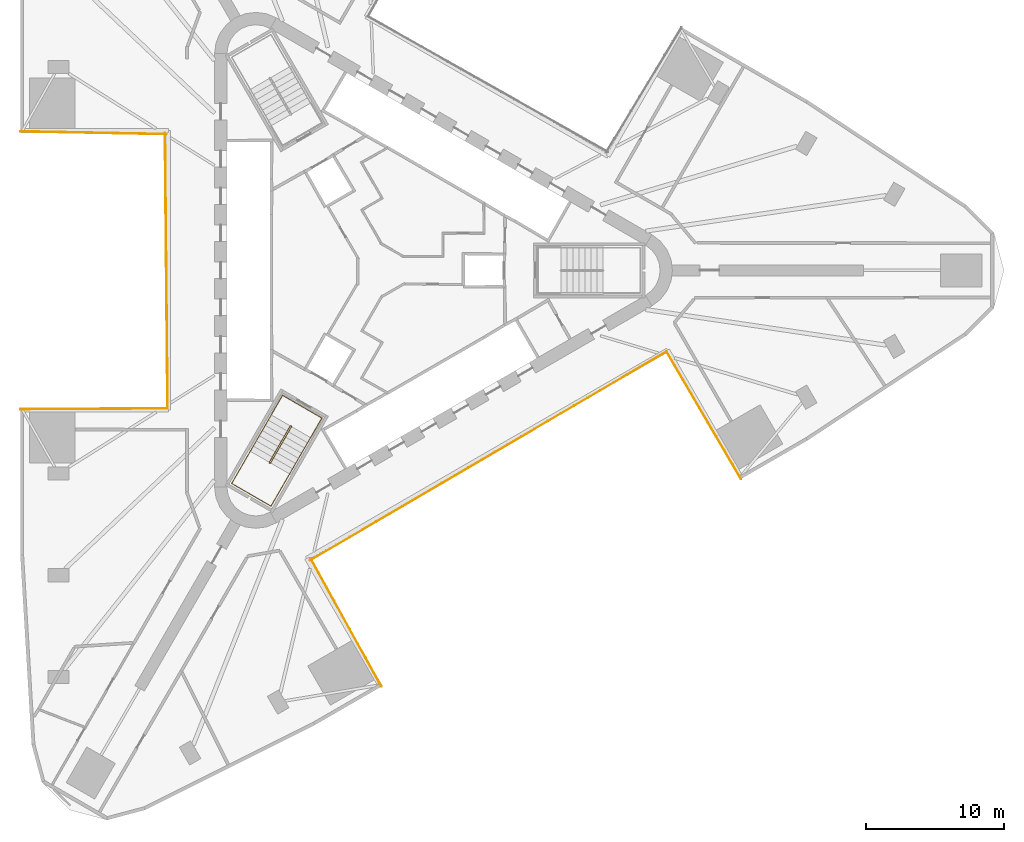
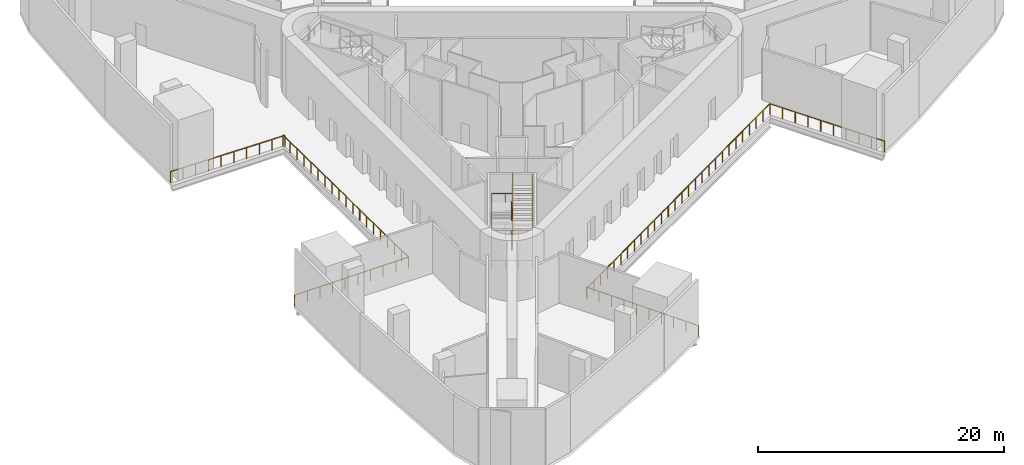
# One storey, part 9 of 11: 11 railings.
"""IFC4 building model written with IfcOpenShell, lengths in metres."""

from ifc_helpers import new_model, si_unit, direction, frame, origin, origin_2d, place, context, subcontext, project, spatial, circle, extrude, material, type_object, element, save


model = new_model("IFC4")

# Units and contexts
model_context = context("Model", 3, precision=1e-05, world=origin(), true_north=direction((0.0, 1.0)))
body_context = subcontext(model_context, "Body", "Model", "MODEL_VIEW")
ifc_project = project(units=[si_unit("LENGTHUNIT", "METRE"), si_unit("AREAUNIT", "SQUARE_METRE"), si_unit("VOLUMEUNIT", "CUBIC_METRE"), si_unit("PLANEANGLEUNIT", "RADIAN"), si_unit("MASSUNIT", "GRAM", prefix="KILO")], contexts=[model_context])

# Site, building, storey
site_placement = place(None, origin())
site = spatial("IfcSite", under=ifc_project, at=site_placement, CompositionType="ELEMENT")
building_placement = place(site_placement, origin())
building = spatial("IfcBuilding", under=site, at=building_placement, Name="Tanit Gate Tower", CompositionType="ELEMENT")
storey_placement = place(building_placement, frame((0.0, 0.0, 21.5)))
storey = spatial("IfcBuildingStorey", under=building, at=storey_placement, Name="L03", CompositionType="ELEMENT", Elevation=21.5)

# Railings
ifc_material_1 = material(Name="Stainless steel", Category="steel")
railing_type_1 = type_object("IfcRailingType", Name="Guard 1100 stainless steel balustrade", PredefinedType="GUARDRAIL", material=ifc_material_1)
railing_1_placement = place(storey_placement, frame((-5.103759765625, -20.9599609375, 0.0)))
element("IfcRailing", 1, at=railing_1_placement, inside=storey, type_object=railing_type_1, Name="Tunnel edge guard L03 1", PredefinedType="GUARDRAIL", context=body_context, shape_type="SweptSolid", body=[
    extrude(circle(Radius=0.02392578125, at=origin_2d()), frame((0.0, 0.0, 1.076171875), z_axis=(0.483623614037, -0.875276070703, 0.0), x_axis=(0.875276070703, 0.483623614037, 0.0)), (0.0, 0.0, 1.0), 10.63134765625),
    extrude(circle(Radius=0.02099609375, at=origin_2d()), origin(), (0.0, 0.0, 1.0), 1.052001953125),
    extrude(circle(Radius=0.02099609375, at=origin_2d()), frame((0.5712890625, -1.033935546875, 0.0)), (0.0, 0.0, 1.0), 1.052001953125),
    extrude(circle(Radius=0.02099609375, at=origin_2d()), frame((1.142578125, -2.06787109375, 0.0)), (0.0, 0.0, 1.0), 1.052001953125),
    extrude(circle(Radius=0.02099609375, at=origin_2d()), frame((1.7138671875, -3.101806640625, 0.0)), (0.0, 0.0, 1.0), 1.052001953125),
    extrude(circle(Radius=0.02099609375, at=origin_2d()), frame((2.28515625, -4.1357421875, 0.0)), (0.0, 0.0, 1.0), 1.052001953125),
    extrude(circle(Radius=0.02099609375, at=origin_2d()), frame((2.8564453125, -5.169677734375, 0.0)), (0.0, 0.0, 1.0), 1.052001953125),
    extrude(circle(Radius=0.02099609375, at=origin_2d()), frame((3.427734375, -6.20361328125, 0.0)), (0.0, 0.0, 1.0), 1.052001953125),
    extrude(circle(Radius=0.02099609375, at=origin_2d()), frame((3.9990234375, -7.237548828125, 0.0)), (0.0, 0.0, 1.0), 1.052001953125),
    extrude(circle(Radius=0.02099609375, at=origin_2d()), frame((4.5703125, -8.271484375, 0.0)), (0.0, 0.0, 1.0), 1.052001953125),
    extrude(circle(Radius=0.02099609375, at=origin_2d()), frame((5.1416015625, -9.305419921875, 0.0)), (0.0, 0.0, 1.0), 1.052001953125),
])
railing_2_placement = place(storey_placement, frame((26.190673828125, -15.16357421875, 0.0)))
element("IfcRailing", 2, at=railing_2_placement, inside=storey, type_object=railing_type_1, Name="Tunnel edge guard L03 2", PredefinedType="GUARDRAIL", context=body_context, shape_type="SweptSolid", body=[
    extrude(circle(Radius=0.02392578125, at=origin_2d()), frame((0.0, 0.0, 1.076171875), z_axis=(-0.50536532766, 0.862905490537, 0.0), x_axis=(-0.862905490537, -0.50536532766, 0.0)), (0.0, 0.0, 1.0), 10.721923828125),
    extrude(circle(Radius=0.02099609375, at=origin_2d()), origin(), (0.0, 0.0, 1.0), 1.052001953125),
    extrude(circle(Radius=0.02099609375, at=origin_2d()), frame((-0.60205078125, 1.028076171875, 0.0)), (0.0, 0.0, 1.0), 1.052001953125),
    extrude(circle(Radius=0.02099609375, at=origin_2d()), frame((-1.2041015625, 2.055908203125, 0.0)), (0.0, 0.0, 1.0), 1.052001953125),
    extrude(circle(Radius=0.02099609375, at=origin_2d()), frame((-1.80615234375, 3.083984375, 0.0)), (0.0, 0.0, 1.0), 1.052001953125),
    extrude(circle(Radius=0.02099609375, at=origin_2d()), frame((-2.408203125, 4.112060546875, 0.0)), (0.0, 0.0, 1.0), 1.052001953125),
    extrude(circle(Radius=0.02099609375, at=origin_2d()), frame((-3.01025390625, 5.139892578125, 0.0)), (0.0, 0.0, 1.0), 1.052001953125),
    extrude(circle(Radius=0.02099609375, at=origin_2d()), frame((-3.6123046875, 6.16796875, 0.0)), (0.0, 0.0, 1.0), 1.052001953125),
    extrude(circle(Radius=0.02099609375, at=origin_2d()), frame((-4.21435546875, 7.196044921875, 0.0)), (0.0, 0.0, 1.0), 1.052001953125),
    extrude(circle(Radius=0.02099609375, at=origin_2d()), frame((-4.81640625, 8.223876953125, 0.0)), (0.0, 0.0, 1.0), 1.052001953125),
    extrude(circle(Radius=0.02099609375, at=origin_2d()), frame((-5.41845703125, 9.251953125, 0.0)), (0.0, 0.0, 1.0), 1.052001953125),
])
railing_3_placement = place(storey_placement, frame((20.772216796875, -5.91162109375, 0.0)))
element("IfcRailing", 3, at=railing_3_placement, inside=storey, type_object=railing_type_1, Name="Tunnel edge guard L03 2", PredefinedType="GUARDRAIL", context=body_context, shape_type="SweptSolid", body=[
    extrude(circle(Radius=0.02392578125, at=origin_2d()), frame((0.0, 0.0, 1.076171875), z_axis=(-0.862766200983, -0.505603087848, 0.0), x_axis=(0.505603087848, -0.862766200983, 0.0)), (0.0, 0.0, 1.0), 10.01123046875),
    extrude(circle(Radius=0.02099609375, at=origin_2d()), origin(), (0.0, 0.0, 1.0), 1.052001953125),
    extrude(circle(Radius=0.02099609375, at=origin_2d()), frame((-0.959716796875, -0.5625, 0.0)), (0.0, 0.0, 1.0), 1.052001953125),
    extrude(circle(Radius=0.02099609375, at=origin_2d()), frame((-1.91943359375, -1.124755859375, 0.0)), (0.0, 0.0, 1.0), 1.052001953125),
    extrude(circle(Radius=0.02099609375, at=origin_2d()), frame((-2.879150390625, -1.687255859375, 0.0)), (0.0, 0.0, 1.0), 1.052001953125),
    extrude(circle(Radius=0.02099609375, at=origin_2d()), frame((-3.8388671875, -2.249755859375, 0.0)), (0.0, 0.0, 1.0), 1.052001953125),
    extrude(circle(Radius=0.02099609375, at=origin_2d()), frame((-4.798583984375, -2.81201171875, 0.0)), (0.0, 0.0, 1.0), 1.052001953125),
    extrude(circle(Radius=0.02099609375, at=origin_2d()), frame((-5.75830078125, -3.37451171875, 0.0)), (0.0, 0.0, 1.0), 1.052001953125),
    extrude(circle(Radius=0.02099609375, at=origin_2d()), frame((-6.718017578125, -3.93701171875, 0.0)), (0.0, 0.0, 1.0), 1.052001953125),
    extrude(circle(Radius=0.02099609375, at=origin_2d()), frame((-7.677734375, -4.499267578125, 0.0)), (0.0, 0.0, 1.0), 1.052001953125),
    extrude(circle(Radius=0.02099609375, at=origin_2d()), frame((-8.637451171875, -5.061767578125, 0.0)), (0.0, 0.0, 1.0), 1.052001953125),
])
railing_4_placement = place(storey_placement, frame((12.134765625, -10.973388671875, 0.0)))
element("IfcRailing", 4, at=railing_4_placement, inside=storey, type_object=railing_type_1, Name="Tunnel edge guard L03 2", PredefinedType="GUARDRAIL", context=body_context, shape_type="SweptSolid", body=[
    extrude(circle(Radius=0.02392578125, at=origin_2d()), frame((0.0, 0.0, 1.076171875), z_axis=(-0.862783072124, -0.505574297662, 0.0), x_axis=(0.505574297662, -0.862783072124, 0.0)), (0.0, 0.0, 1.0), 10.011474609375),
    extrude(circle(Radius=0.02099609375, at=origin_2d()), origin(), (0.0, 0.0, 1.0), 1.052001953125),
    extrude(circle(Radius=0.02099609375, at=origin_2d()), frame((-0.959716796875, -0.5625, 0.0)), (0.0, 0.0, 1.0), 1.052001953125),
    extrude(circle(Radius=0.02099609375, at=origin_2d()), frame((-1.91943359375, -1.124755859375, 0.0)), (0.0, 0.0, 1.0), 1.052001953125),
    extrude(circle(Radius=0.02099609375, at=origin_2d()), frame((-2.879150390625, -1.687255859375, 0.0)), (0.0, 0.0, 1.0), 1.052001953125),
    extrude(circle(Radius=0.02099609375, at=origin_2d()), frame((-3.8388671875, -2.24951171875, 0.0)), (0.0, 0.0, 1.0), 1.052001953125),
    extrude(circle(Radius=0.02099609375, at=origin_2d()), frame((-4.798828125, -2.81201171875, 0.0)), (0.0, 0.0, 1.0), 1.052001953125),
    extrude(circle(Radius=0.02099609375, at=origin_2d()), frame((-5.758544921875, -3.374267578125, 0.0)), (0.0, 0.0, 1.0), 1.052001953125),
    extrude(circle(Radius=0.02099609375, at=origin_2d()), frame((-6.71826171875, -3.936767578125, 0.0)), (0.0, 0.0, 1.0), 1.052001953125),
    extrude(circle(Radius=0.02099609375, at=origin_2d()), frame((-7.677978515625, -4.4990234375, 0.0)), (0.0, 0.0, 1.0), 1.052001953125),
    extrude(circle(Radius=0.02099609375, at=origin_2d()), frame((-8.6376953125, -5.0615234375, 0.0)), (0.0, 0.0, 1.0), 1.052001953125),
])
railing_5_placement = place(storey_placement, frame((3.4970703125, -16.034912109375, 0.0)))
element("IfcRailing", 5, at=railing_5_placement, inside=storey, type_object=railing_type_1, Name="Tunnel edge guard L03 2", PredefinedType="GUARDRAIL", context=body_context, shape_type="SweptSolid", body=[
    extrude(circle(Radius=0.02392578125, at=origin_2d()), frame((0.0, 0.0, 1.076171875), z_axis=(-0.862766200983, -0.505603087848, 0.0), x_axis=(0.505603087848, -0.862766200983, 0.0)), (0.0, 0.0, 1.0), 10.01123046875),
    extrude(circle(Radius=0.02099609375, at=origin_2d()), origin(), (0.0, 0.0, 1.0), 1.052001953125),
    extrude(circle(Radius=0.02099609375, at=origin_2d()), frame((-0.959716796875, -0.5625, 0.0)), (0.0, 0.0, 1.0), 1.052001953125),
    extrude(circle(Radius=0.02099609375, at=origin_2d()), frame((-1.91943359375, -1.124755859375, 0.0)), (0.0, 0.0, 1.0), 1.052001953125),
    extrude(circle(Radius=0.02099609375, at=origin_2d()), frame((-2.879150390625, -1.687255859375, 0.0)), (0.0, 0.0, 1.0), 1.052001953125),
    extrude(circle(Radius=0.02099609375, at=origin_2d()), frame((-3.8388671875, -2.249755859375, 0.0)), (0.0, 0.0, 1.0), 1.052001953125),
    extrude(circle(Radius=0.02099609375, at=origin_2d()), frame((-4.798583984375, -2.81201171875, 0.0)), (0.0, 0.0, 1.0), 1.052001953125),
    extrude(circle(Radius=0.02099609375, at=origin_2d()), frame((-5.75830078125, -3.37451171875, 0.0)), (0.0, 0.0, 1.0), 1.052001953125),
    extrude(circle(Radius=0.02099609375, at=origin_2d()), frame((-6.718017578125, -3.93701171875, 0.0)), (0.0, 0.0, 1.0), 1.052001953125),
    extrude(circle(Radius=0.02099609375, at=origin_2d()), frame((-7.677734375, -4.499267578125, 0.0)), (0.0, 0.0, 1.0), 1.052001953125),
    extrude(circle(Radius=0.02099609375, at=origin_2d()), frame((-8.637451171875, -5.061767578125, 0.0)), (0.0, 0.0, 1.0), 1.052001953125),
])
railing_6_placement = place(storey_placement, frame((-15.60009765625, 9.89990234375, 0.0)))
element("IfcRailing", 6, at=railing_6_placement, inside=storey, type_object=railing_type_1, Name="Tunnel edge guard L03 3", PredefinedType="GUARDRAIL", context=body_context, shape_type="SweptSolid", body=[
    extrude(circle(Radius=0.02392578125, at=origin_2d()), frame((0.0, 0.0, 1.076171875), z_axis=(-0.99982266881, 0.018831647106, 0.0), x_axis=(-0.018831647106, -0.99982266881, 0.0)), (0.0, 0.0, 1.0), 10.630859375),
    extrude(circle(Radius=0.02099609375, at=origin_2d()), origin(), (0.0, 0.0, 1.0), 1.052001953125),
    extrude(circle(Radius=0.02099609375, at=origin_2d()), frame((-1.180908203125, 0.022216796875, 0.0)), (0.0, 0.0, 1.0), 1.052001953125),
    extrude(circle(Radius=0.02099609375, at=origin_2d()), frame((-2.362060546875, 0.04443359375, 0.0)), (0.0, 0.0, 1.0), 1.052001953125),
    extrude(circle(Radius=0.02099609375, at=origin_2d()), frame((-3.54296875, 0.066650390625, 0.0)), (0.0, 0.0, 1.0), 1.052001953125),
    extrude(circle(Radius=0.02099609375, at=origin_2d()), frame((-4.723876953125, 0.0888671875, 0.0)), (0.0, 0.0, 1.0), 1.052001953125),
    extrude(circle(Radius=0.02099609375, at=origin_2d()), frame((-5.905029296875, 0.111328125, 0.0)), (0.0, 0.0, 1.0), 1.052001953125),
    extrude(circle(Radius=0.02099609375, at=origin_2d()), frame((-7.0859375, 0.133544921875, 0.0)), (0.0, 0.0, 1.0), 1.052001953125),
    extrude(circle(Radius=0.02099609375, at=origin_2d()), frame((-8.266845703125, 0.15576171875, 0.0)), (0.0, 0.0, 1.0), 1.052001953125),
    extrude(circle(Radius=0.02099609375, at=origin_2d()), frame((-9.447998046875, 0.177978515625, 0.0)), (0.0, 0.0, 1.0), 1.052001953125),
    extrude(circle(Radius=0.02099609375, at=origin_2d()), frame((-10.62890625, 0.2001953125, 0.0)), (0.0, 0.0, 1.0), 1.052001953125),
])
railing_7_placement = place(storey_placement, frame((-26.227783203125, -10.10009765625, 0.0)))
element("IfcRailing", 7, at=railing_7_placement, inside=storey, type_object=railing_type_1, Name="Tunnel edge guard L03 4", PredefinedType="GUARDRAIL", context=body_context, shape_type="SweptSolid", body=[
    extrude(circle(Radius=0.02392578125, at=origin_2d()), frame((0.0, 0.0, 1.076171875), z_axis=(0.999987666554, 0.004966562124, 0.0), x_axis=(-0.004966562124, 0.999987666554, 0.0)), (0.0, 0.0, 1.0), 10.71630859375),
    extrude(circle(Radius=0.02099609375, at=origin_2d()), origin(), (0.0, 0.0, 1.0), 1.052001953125),
    extrude(circle(Radius=0.02099609375, at=origin_2d()), frame((1.190673828125, 0.005859375, 0.0)), (0.0, 0.0, 1.0), 1.052001953125),
    extrude(circle(Radius=0.02099609375, at=origin_2d()), frame((2.38134765625, 0.01171875, 0.0)), (0.0, 0.0, 1.0), 1.052001953125),
    extrude(circle(Radius=0.02099609375, at=origin_2d()), frame((3.572021484375, 0.017822265625, 0.0)), (0.0, 0.0, 1.0), 1.052001953125),
    extrude(circle(Radius=0.02099609375, at=origin_2d()), frame((4.7626953125, 0.023681640625, 0.0)), (0.0, 0.0, 1.0), 1.052001953125),
    extrude(circle(Radius=0.02099609375, at=origin_2d()), frame((5.953369140625, 0.029541015625, 0.0)), (0.0, 0.0, 1.0), 1.052001953125),
    extrude(circle(Radius=0.02099609375, at=origin_2d()), frame((7.14404296875, 0.035400390625, 0.0)), (0.0, 0.0, 1.0), 1.052001953125),
    extrude(circle(Radius=0.02099609375, at=origin_2d()), frame((8.334716796875, 0.04150390625, 0.0)), (0.0, 0.0, 1.0), 1.052001953125),
    extrude(circle(Radius=0.02099609375, at=origin_2d()), frame((9.525390625, 0.04736328125, 0.0)), (0.0, 0.0, 1.0), 1.052001953125),
    extrude(circle(Radius=0.02099609375, at=origin_2d()), frame((10.716064453125, 0.05322265625, 0.0)), (0.0, 0.0, 1.0), 1.052001953125),
])
railing_8_placement = place(storey_placement, frame((-15.51171875, -10.046875, 0.0)))
element("IfcRailing", 8, at=railing_8_placement, inside=storey, type_object=railing_type_1, Name="Tunnel edge guard L03 4", PredefinedType="GUARDRAIL", context=body_context, shape_type="SweptSolid", body=[
    extrude(circle(Radius=0.02392578125, at=origin_2d()), frame((0.0, 0.0, 1.076171875), z_axis=(-0.009401377171, 0.999955806077, 0.0), x_axis=(-0.999955806077, -0.009401377171, 0.0)), (0.0, 0.0, 1.0), 10.02392578125),
    extrude(circle(Radius=0.02099609375, at=origin_2d()), origin(), (0.0, 0.0, 1.0), 1.052001953125),
    extrude(circle(Radius=0.02099609375, at=origin_2d()), frame((-0.010498046875, 1.11376953125, 0.0)), (0.0, 0.0, 1.0), 1.052001953125),
    extrude(circle(Radius=0.02099609375, at=origin_2d()), frame((-0.02099609375, 2.2275390625, 0.0)), (0.0, 0.0, 1.0), 1.052001953125),
    extrude(circle(Radius=0.02099609375, at=origin_2d()), frame((-0.031494140625, 3.341064453125, 0.0)), (0.0, 0.0, 1.0), 1.052001953125),
    extrude(circle(Radius=0.02099609375, at=origin_2d()), frame((-0.0419921875, 4.454833984375, 0.0)), (0.0, 0.0, 1.0), 1.052001953125),
    extrude(circle(Radius=0.02099609375, at=origin_2d()), frame((-0.05224609375, 5.568603515625, 0.0)), (0.0, 0.0, 1.0), 1.052001953125),
    extrude(circle(Radius=0.02099609375, at=origin_2d()), frame((-0.062744140625, 6.682373046875, 0.0)), (0.0, 0.0, 1.0), 1.052001953125),
    extrude(circle(Radius=0.02099609375, at=origin_2d()), frame((-0.0732421875, 7.7958984375, 0.0)), (0.0, 0.0, 1.0), 1.052001953125),
    extrude(circle(Radius=0.02099609375, at=origin_2d()), frame((-0.083740234375, 8.90966796875, 0.0)), (0.0, 0.0, 1.0), 1.052001953125),
    extrude(circle(Radius=0.02099609375, at=origin_2d()), frame((-0.09423828125, 10.0234375, 0.0)), (0.0, 0.0, 1.0), 1.052001953125),
])
railing_9_placement = place(storey_placement, frame((-15.60595703125, -0.0234375, 0.0)))
element("IfcRailing", 9, at=railing_9_placement, inside=storey, type_object=railing_type_1, Name="Tunnel edge guard L03 4", PredefinedType="GUARDRAIL", context=body_context, shape_type="SweptSolid", body=[
    extrude(circle(Radius=0.02392578125, at=origin_2d()), frame((0.0, 0.0, 1.076171875), z_axis=(-0.009377023416, 0.999956034749, 0.0), x_axis=(-0.999956034749, -0.009377023416, 0.0)), (0.0, 0.0, 1.0), 10.02392578125),
    extrude(circle(Radius=0.02099609375, at=origin_2d()), origin(), (0.0, 0.0, 1.0), 1.052001953125),
    extrude(circle(Radius=0.02099609375, at=origin_2d()), frame((-0.010498046875, 1.11376953125, 0.0)), (0.0, 0.0, 1.0), 1.052001953125),
    extrude(circle(Radius=0.02099609375, at=origin_2d()), frame((-0.02099609375, 2.2275390625, 0.0)), (0.0, 0.0, 1.0), 1.052001953125),
    extrude(circle(Radius=0.02099609375, at=origin_2d()), frame((-0.03125, 3.341064453125, 0.0)), (0.0, 0.0, 1.0), 1.052001953125),
    extrude(circle(Radius=0.02099609375, at=origin_2d()), frame((-0.041748046875, 4.454833984375, 0.0)), (0.0, 0.0, 1.0), 1.052001953125),
    extrude(circle(Radius=0.02099609375, at=origin_2d()), frame((-0.05224609375, 5.568603515625, 0.0)), (0.0, 0.0, 1.0), 1.052001953125),
    extrude(circle(Radius=0.02099609375, at=origin_2d()), frame((-0.062744140625, 6.682373046875, 0.0)), (0.0, 0.0, 1.0), 1.052001953125),
    extrude(circle(Radius=0.02099609375, at=origin_2d()), frame((-0.072998046875, 7.7958984375, 0.0)), (0.0, 0.0, 1.0), 1.052001953125),
    extrude(circle(Radius=0.02099609375, at=origin_2d()), frame((-0.08349609375, 8.90966796875, 0.0)), (0.0, 0.0, 1.0), 1.052001953125),
    extrude(circle(Radius=0.02099609375, at=origin_2d()), frame((-0.093994140625, 10.0234375, 0.0)), (0.0, 0.0, 1.0), 1.052001953125),
])
ifc_material_2 = material(Name="Stainless steel balustrade", Category="steel")
railing_type_2 = type_object("IfcRailingType", Name="INT-STAIR-GUARD", PredefinedType="GUARDRAIL", material=ifc_material_2)
railing_10_placement = place(storey_placement, frame((-6.51806640625, -11.2998046875, 0.0)))
element("IfcRailing", 10, at=railing_10_placement, inside=storey, type_object=railing_type_2, Name="L03 S3 stair guard 1", PredefinedType="GUARDRAIL", context=body_context, shape_type="SweptSolid", body=[
    extrude(circle(Radius=0.02392578125, at=origin_2d()), frame((0.0, 0.0, 1.076171875), z_axis=(-0.874157276122, 0.485642931179, 0.0), x_axis=(-0.485642931179, -0.874157276122, 0.0)), (0.0, 0.0, 1.0), 0.010009765625),
    extrude(circle(Radius=0.02392578125, at=origin_2d()), frame((-0.0087890625, 0.0048828125, 1.076171875), z_axis=(-0.34113380443, -0.090156791171, 0.935681292151), x_axis=(0.255512919477, -0.966805641264, 0.0)), (0.0, 0.0, 1.0), 0.200439453125),
    extrude(circle(Radius=0.02392578125, at=origin_2d()), frame((-0.0771484375, -0.01318359375, 1.263671875), z_axis=(-0.459267510171, -0.795558940874, 0.395169995947), x_axis=(0.866048339477, -0.499960272111, 0.0)), (0.0, 0.0, 1.0), 3.3212890625),
    extrude(circle(Radius=0.02392578125, at=origin_2d()), frame((-1.6025390625, -2.655517578125, 2.576171875), z_axis=(0.258736085224, -0.965948051503, 0.0), x_axis=(0.965948051503, 0.258736085224, 0.0)), (0.0, 0.0, 1.0), 0.07080078125),
    extrude(circle(Radius=0.02392578125, at=origin_2d()), frame((-1.584228515625, -2.723876953125, 2.576171875), z_axis=(0.868243142124, -0.496138938357, 0.0), x_axis=(0.496138938357, 0.868243142124, 0.0)), (0.0, 0.0, 1.0), 0.009765625),
    extrude(circle(Radius=0.02392578125, at=origin_2d()), frame((-1.57568359375, -2.728759765625, 2.576171875), z_axis=(0.341096086969, 0.091365023295, 0.935577838543), x_axis=(-0.258736085224, 0.965948051503, 0.0)), (0.0, 0.0, 1.0), 0.200439453125),
    extrude(circle(Radius=0.02392578125, at=origin_2d()), frame((-1.50732421875, -2.71044921875, 2.763671875), z_axis=(0.459352369135, 0.79550509502, 0.395179762597), x_axis=(-0.865993683553, 0.500054937028, 0.0)), (0.0, 0.0, 1.0), 3.3212890625),
    extrude(circle(Radius=0.02392578125, at=origin_2d()), frame((0.018310546875, -0.068359375, 4.076171875), z_axis=(-0.258736085224, 0.965948051503, 0.0), x_axis=(-0.965948051503, -0.258736085224, 0.0)), (0.0, 0.0, 1.0), 0.07080078125),
    extrude(circle(Radius=0.02392578125, at=origin_2d()), frame((0.0, 0.0, 4.076171875), z_axis=(-0.874157276122, 0.485642931179, 0.0), x_axis=(-0.485642931179, -0.874157276122, 0.0)), (0.0, 0.0, 1.0), 0.010009765625),
    extrude(circle(Radius=0.02392578125, at=origin_2d()), frame((-0.0087890625, 0.0048828125, 4.076171875), z_axis=(-0.34113380443, -0.090156791171, 0.935681292151), x_axis=(0.255512919477, -0.966805641264, 0.0)), (0.0, 0.0, 1.0), 0.200439453125),
    extrude(circle(Radius=0.02392578125, at=origin_2d()), frame((-0.0771484375, -0.01318359375, 4.263671875), z_axis=(-0.459267510171, -0.795558940874, 0.395169995947), x_axis=(0.866048339477, -0.499960272111, 0.0)), (0.0, 0.0, 1.0), 3.3212890625),
    extrude(circle(Radius=0.02392578125, at=origin_2d()), frame((-1.6025390625, -2.655517578125, 5.576171875), z_axis=(0.258736085224, -0.965948051503, 0.0), x_axis=(0.965948051503, 0.258736085224, 0.0)), (0.0, 0.0, 1.0), 0.07080078125),
    extrude(circle(Radius=0.02392578125, at=origin_2d()), frame((-1.584228515625, -2.723876953125, 5.576171875), z_axis=(0.868243142124, -0.496138938357, 0.0), x_axis=(0.496138938357, 0.868243142124, 0.0)), (0.0, 0.0, 1.0), 0.009765625),
    extrude(circle(Radius=0.02392578125, at=origin_2d()), frame((-1.57568359375, -2.728759765625, 5.576171875), z_axis=(0.341096086969, 0.091365023295, 0.935577838543), x_axis=(-0.258736085224, 0.965948051503, 0.0)), (0.0, 0.0, 1.0), 0.200439453125),
    extrude(circle(Radius=0.02392578125, at=origin_2d()), frame((-1.50732421875, -2.71044921875, 5.763671875), z_axis=(0.459352369135, 0.79550509502, 0.395179762597), x_axis=(-0.865993683553, 0.500054937028, 0.0)), (0.0, 0.0, 1.0), 3.3212890625),
    extrude(circle(Radius=0.02099609375, at=origin_2d()), origin(), (0.0, 0.0, 1.0), 1.052001953125),
    extrude(circle(Radius=0.02099609375, at=origin_2d()), frame((-0.0087890625, 0.0048828125, 0.0)), (0.0, 0.0, 1.0), 1.052001953125),
    extrude(circle(Radius=0.02099609375, at=origin_2d()), frame((-0.0771484375, -0.01318359375, 0.1875)), (0.0, 0.0, 1.0), 1.052001953125),
    extrude(circle(Radius=0.02099609375, at=origin_2d()), frame((-0.585693359375, -0.89404296875, 0.625)), (0.0, 0.0, 1.0), 1.052001953125),
    extrude(circle(Radius=0.02099609375, at=origin_2d()), frame((-1.093994140625, -1.774658203125, 1.0625)), (0.0, 0.0, 1.0), 1.052001953125),
    extrude(circle(Radius=0.02099609375, at=origin_2d()), frame((-1.6025390625, -2.655517578125, 1.5)), (0.0, 0.0, 1.0), 1.052001953125),
    extrude(circle(Radius=0.02099609375, at=origin_2d()), frame((-1.584228515625, -2.723876953125, 1.5)), (0.0, 0.0, 1.0), 1.052001953125),
    extrude(circle(Radius=0.02099609375, at=origin_2d()), frame((-1.57568359375, -2.728759765625, 1.5)), (0.0, 0.0, 1.0), 1.052001953125),
    extrude(circle(Radius=0.02099609375, at=origin_2d()), frame((-1.50732421875, -2.71044921875, 1.6875)), (0.0, 0.0, 1.0), 1.052001953125),
    extrude(circle(Radius=0.02099609375, at=origin_2d()), frame((-0.998779296875, -1.829833984375, 2.125)), (0.0, 0.0, 1.0), 1.052001953125),
    extrude(circle(Radius=0.02099609375, at=origin_2d()), frame((-0.490234375, -0.948974609375, 2.5625)), (0.0, 0.0, 1.0), 1.052001953125),
    extrude(circle(Radius=0.02099609375, at=origin_2d()), frame((0.018310546875, -0.068359375, 3.0)), (0.0, 0.0, 1.0), 1.052001953125),
    extrude(circle(Radius=0.02099609375, at=origin_2d()), frame((0.0, 0.0, 3.0)), (0.0, 0.0, 1.0), 1.052001953125),
    extrude(circle(Radius=0.02099609375, at=origin_2d()), frame((-0.0087890625, 0.0048828125, 3.0)), (0.0, 0.0, 1.0), 1.052001953125),
    extrude(circle(Radius=0.02099609375, at=origin_2d()), frame((-0.0771484375, -0.01318359375, 3.1875)), (0.0, 0.0, 1.0), 1.052001953125),
    extrude(circle(Radius=0.02099609375, at=origin_2d()), frame((-0.585693359375, -0.89404296875, 3.625)), (0.0, 0.0, 1.0), 1.052001953125),
    extrude(circle(Radius=0.02099609375, at=origin_2d()), frame((-1.093994140625, -1.774658203125, 4.0625)), (0.0, 0.0, 1.0), 1.052001953125),
    extrude(circle(Radius=0.02099609375, at=origin_2d()), frame((-1.6025390625, -2.655517578125, 4.5)), (0.0, 0.0, 1.0), 1.052001953125),
    extrude(circle(Radius=0.02099609375, at=origin_2d()), frame((-1.584228515625, -2.723876953125, 4.5)), (0.0, 0.0, 1.0), 1.052001953125),
    extrude(circle(Radius=0.02099609375, at=origin_2d()), frame((-1.57568359375, -2.728759765625, 4.5)), (0.0, 0.0, 1.0), 1.052001953125),
    extrude(circle(Radius=0.02099609375, at=origin_2d()), frame((-1.50732421875, -2.71044921875, 4.6875)), (0.0, 0.0, 1.0), 1.052001953125),
    extrude(circle(Radius=0.02099609375, at=origin_2d()), frame((-0.998779296875, -1.829833984375, 5.125)), (0.0, 0.0, 1.0), 1.052001953125),
    extrude(circle(Radius=0.02099609375, at=origin_2d()), frame((-0.490234375, -0.948974609375, 5.5625)), (0.0, 0.0, 1.0), 1.052001953125),
    extrude(circle(Radius=0.02099609375, at=origin_2d()), frame((0.018310546875, -0.068359375, 6.0)), (0.0, 0.0, 1.0), 1.052001953125),
])
ifc_material_3 = material(Name="Stainless steel handrail", Category="steel")
railing_type_3 = type_object("IfcRailingType", Name="INT-STAIR-HANDRAIL", PredefinedType="HANDRAIL", material=ifc_material_3)
railing_11_placement = place(storey_placement, frame((-7.9765625, -10.515625, 0.1875)))
element("IfcRailing", 11, at=railing_11_placement, inside=storey, type_object=railing_type_3, Name="L03 S3 stair handrail 1", PredefinedType="HANDRAIL", context=body_context, shape_type="SweptSolid", body=[
    extrude(circle(Radius=0.02392578125, at=origin_2d()), frame((0.0, 0.0, 0.8759765625), z_axis=(-0.459267510171, -0.795558940874, 0.395169995947), x_axis=(0.866048339477, -0.499960272111, 0.0)), (0.0, 0.0, 1.0), 3.3212890625),
    extrude(circle(Radius=0.02392578125, at=origin_2d()), frame((-1.525390625, -2.642333984375, 2.1884765625), z_axis=(-0.50004290449, -0.866000631449, 0.0), x_axis=(0.866000631449, -0.50004290449, 0.0)), (0.0, 0.0, 1.0), 2.703857421875),
    extrude(circle(Radius=0.02392578125, at=origin_2d()), frame((-2.87744140625, -4.98388671875, 2.1884765625), z_axis=(0.866008176907, -0.50002983664, 0.0), x_axis=(0.50002983664, 0.866008176907, 0.0)), (0.0, 0.0, 1.0), 3.300048828125),
    extrude(circle(Radius=0.02392578125, at=origin_2d()), frame((-0.01953125, -6.634033203125, 2.1884765625), z_axis=(0.498806118336, 0.863948769787, 0.069173546205), x_axis=(-0.866023205937, 0.500003806764, 0.0)), (0.0, 0.0, 1.0), 2.710693359375),
    extrude(circle(Radius=0.02392578125, at=origin_2d()), frame((1.33251953125, -4.292236328125, 2.3759765625), z_axis=(0.459267510171, 0.795558940874, 0.395169995947), x_axis=(-0.866048339477, 0.499960272111, 0.0)), (0.0, 0.0, 1.0), 3.3212890625),
    extrude(circle(Radius=0.02392578125, at=origin_2d()), frame((2.85791015625, -1.64990234375, 3.6884765625), z_axis=(0.50001794124, 0.866015045157, 0.0), x_axis=(-0.866015045157, 0.50001794124, 0.0)), (0.0, 0.0, 1.0), 1.64501953125),
    extrude(circle(Radius=0.02392578125, at=origin_2d()), frame((3.680419921875, -0.225341796875, 3.6884765625), z_axis=(-0.866040211805, 0.499974350878, 0.0), x_axis=(-0.499974350878, -0.866040211805, 0.0)), (0.0, 0.0, 1.0), 3.300048828125),
    extrude(circle(Radius=0.02392578125, at=origin_2d()), frame((0.822509765625, 1.424560546875, 3.6884765625), z_axis=(-0.496801021229, -0.860443442824, 0.113251167796), x_axis=(0.866015045157, -0.50001794124, 0.0)), (0.0, 0.0, 1.0), 1.655517578125),
    extrude(circle(Radius=0.02392578125, at=origin_2d()), frame((0.0, 0.0, 3.8759765625), z_axis=(-0.459267510171, -0.795558940874, 0.395169995947), x_axis=(0.866048339477, -0.499960272111, 0.0)), (0.0, 0.0, 1.0), 3.3212890625),
    extrude(circle(Radius=0.02392578125, at=origin_2d()), frame((-1.525390625, -2.642333984375, 5.1884765625), z_axis=(-0.50004290449, -0.866000631449, 0.0), x_axis=(0.866000631449, -0.50004290449, 0.0)), (0.0, 0.0, 1.0), 2.703857421875),
    extrude(circle(Radius=0.02392578125, at=origin_2d()), frame((-2.87744140625, -4.98388671875, 5.1884765625), z_axis=(0.866008176907, -0.50002983664, 0.0), x_axis=(0.50002983664, 0.866008176907, 0.0)), (0.0, 0.0, 1.0), 3.300048828125),
    extrude(circle(Radius=0.02392578125, at=origin_2d()), frame((-0.01953125, -6.634033203125, 5.1884765625), z_axis=(0.498806118336, 0.863948769787, 0.069173546205), x_axis=(-0.866023205937, 0.500003806764, 0.0)), (0.0, 0.0, 1.0), 2.710693359375),
    extrude(circle(Radius=0.02392578125, at=origin_2d()), frame((1.33251953125, -4.292236328125, 5.3759765625), z_axis=(0.459267510171, 0.795558940874, 0.395169995947), x_axis=(-0.866048339477, 0.499960272111, 0.0)), (0.0, 0.0, 1.0), 3.3212890625),
    extrude(circle(Radius=0.02099609375, at=origin_2d()), origin(), (0.0, 0.0, 1.0), 0.851806640625),
    extrude(circle(Radius=0.02099609375, at=origin_2d()), frame((-0.508544921875, -0.880859375, 0.4375)), (0.0, 0.0, 1.0), 0.851806640625),
    extrude(circle(Radius=0.02099609375, at=origin_2d()), frame((-1.016845703125, -1.761474609375, 0.875)), (0.0, 0.0, 1.0), 0.851806640625),
    extrude(circle(Radius=0.02099609375, at=origin_2d()), frame((-1.525390625, -2.642333984375, 1.3125)), (0.0, 0.0, 1.0), 0.851806640625),
    extrude(circle(Radius=0.02099609375, at=origin_2d()), frame((-1.97607421875, -3.4228515625, 1.3125)), (0.0, 0.0, 1.0), 0.851806640625),
    extrude(circle(Radius=0.02099609375, at=origin_2d()), frame((-2.4267578125, -4.203369140625, 1.3125)), (0.0, 0.0, 1.0), 0.851806640625),
    extrude(circle(Radius=0.02099609375, at=origin_2d()), frame((-2.87744140625, -4.98388671875, 1.3125)), (0.0, 0.0, 1.0), 0.851806640625),
    extrude(circle(Radius=0.02099609375, at=origin_2d()), frame((-1.9248046875, -5.533935546875, 1.3125)), (0.0, 0.0, 1.0), 0.851806640625),
    extrude(circle(Radius=0.02099609375, at=origin_2d()), frame((-0.97216796875, -6.083984375, 1.3125)), (0.0, 0.0, 1.0), 0.851806640625),
    extrude(circle(Radius=0.02099609375, at=origin_2d()), frame((-0.01953125, -6.634033203125, 1.3125)), (0.0, 0.0, 1.0), 0.851806640625),
    extrude(circle(Radius=0.02099609375, at=origin_2d()), frame((0.43115234375, -5.853515625, 1.375)), (0.0, 0.0, 1.0), 0.851806640625),
    extrude(circle(Radius=0.02099609375, at=origin_2d()), frame((0.8818359375, -5.07275390625, 1.4375)), (0.0, 0.0, 1.0), 0.851806640625),
    extrude(circle(Radius=0.02099609375, at=origin_2d()), frame((1.33251953125, -4.292236328125, 1.5)), (0.0, 0.0, 1.0), 0.851806640625),
    extrude(circle(Radius=0.02099609375, at=origin_2d()), frame((1.841064453125, -3.411376953125, 1.9375)), (0.0, 0.0, 1.0), 0.851806640625),
    extrude(circle(Radius=0.02099609375, at=origin_2d()), frame((2.349365234375, -2.53076171875, 2.375)), (0.0, 0.0, 1.0), 0.851806640625),
    extrude(circle(Radius=0.02099609375, at=origin_2d()), frame((2.85791015625, -1.64990234375, 2.8125)), (0.0, 0.0, 1.0), 0.851806640625),
    extrude(circle(Radius=0.02099609375, at=origin_2d()), frame((3.26904296875, -0.9375, 2.8125)), (0.0, 0.0, 1.0), 0.851806640625),
    extrude(circle(Radius=0.02099609375, at=origin_2d()), frame((3.680419921875, -0.225341796875, 2.8125)), (0.0, 0.0, 1.0), 0.851806640625),
    extrude(circle(Radius=0.02099609375, at=origin_2d()), frame((2.727783203125, 0.32470703125, 2.8125)), (0.0, 0.0, 1.0), 0.851806640625),
    extrude(circle(Radius=0.02099609375, at=origin_2d()), frame((1.775146484375, 0.87451171875, 2.8125)), (0.0, 0.0, 1.0), 0.851806640625),
    extrude(circle(Radius=0.02099609375, at=origin_2d()), frame((0.822509765625, 1.424560546875, 2.8125)), (0.0, 0.0, 1.0), 0.851806640625),
    extrude(circle(Radius=0.02099609375, at=origin_2d()), frame((0.4111328125, 0.71240234375, 2.90625)), (0.0, 0.0, 1.0), 0.851806640625),
    extrude(circle(Radius=0.02099609375, at=origin_2d()), frame((0.0, 0.0, 3.0)), (0.0, 0.0, 1.0), 0.851806640625),
    extrude(circle(Radius=0.02099609375, at=origin_2d()), frame((-0.508544921875, -0.880859375, 3.4375)), (0.0, 0.0, 1.0), 0.851806640625),
    extrude(circle(Radius=0.02099609375, at=origin_2d()), frame((-1.016845703125, -1.761474609375, 3.875)), (0.0, 0.0, 1.0), 0.851806640625),
    extrude(circle(Radius=0.02099609375, at=origin_2d()), frame((-1.525390625, -2.642333984375, 4.3125)), (0.0, 0.0, 1.0), 0.851806640625),
    extrude(circle(Radius=0.02099609375, at=origin_2d()), frame((-1.97607421875, -3.4228515625, 4.3125)), (0.0, 0.0, 1.0), 0.851806640625),
    extrude(circle(Radius=0.02099609375, at=origin_2d()), frame((-2.4267578125, -4.203369140625, 4.3125)), (0.0, 0.0, 1.0), 0.851806640625),
    extrude(circle(Radius=0.02099609375, at=origin_2d()), frame((-2.87744140625, -4.98388671875, 4.3125)), (0.0, 0.0, 1.0), 0.851806640625),
    extrude(circle(Radius=0.02099609375, at=origin_2d()), frame((-1.9248046875, -5.533935546875, 4.3125)), (0.0, 0.0, 1.0), 0.851806640625),
    extrude(circle(Radius=0.02099609375, at=origin_2d()), frame((-0.97216796875, -6.083984375, 4.3125)), (0.0, 0.0, 1.0), 0.851806640625),
    extrude(circle(Radius=0.02099609375, at=origin_2d()), frame((-0.01953125, -6.634033203125, 4.3125)), (0.0, 0.0, 1.0), 0.851806640625),
    extrude(circle(Radius=0.02099609375, at=origin_2d()), frame((0.43115234375, -5.853515625, 4.375)), (0.0, 0.0, 1.0), 0.851806640625),
    extrude(circle(Radius=0.02099609375, at=origin_2d()), frame((0.8818359375, -5.07275390625, 4.4375)), (0.0, 0.0, 1.0), 0.851806640625),
    extrude(circle(Radius=0.02099609375, at=origin_2d()), frame((1.33251953125, -4.292236328125, 4.5)), (0.0, 0.0, 1.0), 0.851806640625),
    extrude(circle(Radius=0.02099609375, at=origin_2d()), frame((1.841064453125, -3.411376953125, 4.9375)), (0.0, 0.0, 1.0), 0.851806640625),
    extrude(circle(Radius=0.02099609375, at=origin_2d()), frame((2.349365234375, -2.53076171875, 5.375)), (0.0, 0.0, 1.0), 0.851806640625),
    extrude(circle(Radius=0.02099609375, at=origin_2d()), frame((2.85791015625, -1.64990234375, 5.8125)), (0.0, 0.0, 1.0), 0.851806640625),
])

save(model, "model.ifc")
